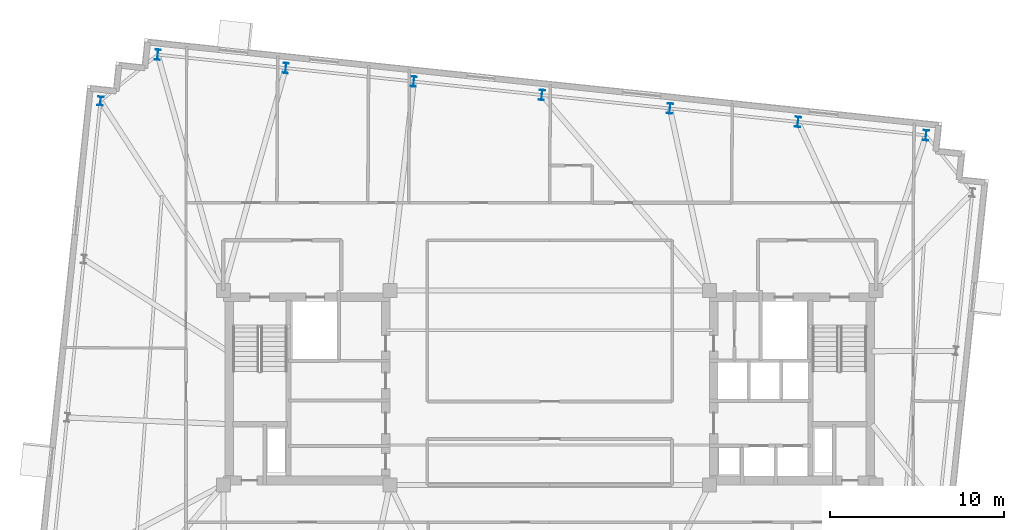
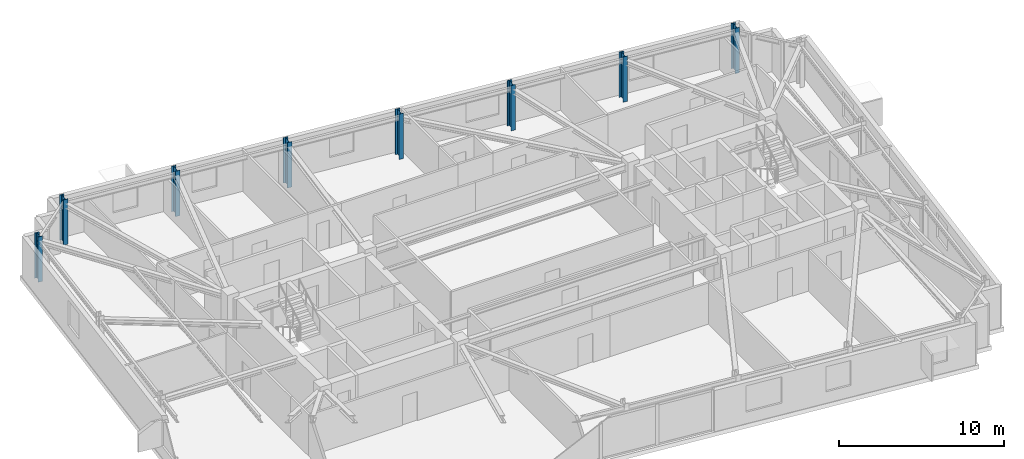
# One storey, part 3 of 12: 8 columns.
"""IFC4 building model written with IfcOpenShell, lengths in metres."""

from ifc_helpers import new_model, si_unit, direction, frame, origin, origin_2d, place, context, subcontext, project, spatial, i_section, extrude, material, material_profile, profile_set, type_object, element, save


model = new_model("IFC4")

# Units and contexts
model_context = context("Model", 3, precision=1e-05, world=origin(), true_north=direction((0.0, 1.0)))
body_context = subcontext(model_context, "Body", "Model", "MODEL_VIEW")
ifc_project = project(units=[si_unit("LENGTHUNIT", "METRE"), si_unit("AREAUNIT", "SQUARE_METRE"), si_unit("VOLUMEUNIT", "CUBIC_METRE"), si_unit("PLANEANGLEUNIT", "RADIAN"), si_unit("MASSUNIT", "GRAM", prefix="KILO")], contexts=[model_context])

# Site, building, storey
site_placement = place(None, origin())
site = spatial("IfcSite", under=ifc_project, at=site_placement, CompositionType="ELEMENT")
building_placement = place(site_placement, origin())
building = spatial("IfcBuilding", under=site, at=building_placement, Name="Qobustan Lattice House", CompositionType="ELEMENT")
storey_placement = place(building_placement, frame((0.0, 0.0, 203.10009765625)))
storey = spatial("IfcBuildingStorey", under=building, at=storey_placement, Name="L57", CompositionType="ELEMENT", Elevation=203.10009765625)

# Columns
ifc_material_1 = material(Name="Steel S355", Category="steel")
ifc_material_profile_1 = material_profile(ifc_material_1, i_section(OverallWidth=0.300048828125, OverallDepth=0.5, WebThickness=0.014404296875, FlangeThickness=0.028076171875, FilletRadius=0.027099609375, at=origin_2d()), Name="HEB500")
ifc_profile_set_1 = profile_set([ifc_material_profile_1], Name="Steel S355")
column_type_1 = type_object("IfcColumnType", Name="COL-ST-HEB500", PredefinedType="COLUMN", material=ifc_profile_set_1)
column_placement = place(storey_placement, frame((-25.87451171875, 16.513916015625, 0.0), z_axis=(0.0, 0.0, 1.0), x_axis=(0.994521895368, -0.104528463268, 0.0)))
element("IfcColumn", 1, at=column_placement, inside=storey, type_object=column_type_1, Name="L57 B4 perimeter column W1", PredefinedType="COLUMN", context=body_context, shape_type="SweptSolid", body=[
    extrude(i_section(OverallWidth=0.300048828125, OverallDepth=0.5, WebThickness=0.014404296875, FlangeThickness=0.028076171875, FilletRadius=0.027099609375, at=origin_2d()), origin(), (0.0, 0.0, 1.0), 3.349853515625),
])
ifc_material_2 = material(Name="Steel S355", Category="steel")
ifc_material_profile_2 = material_profile(ifc_material_2, i_section(OverallWidth=0.300048828125, OverallDepth=0.60009765625, WebThickness=0.015380859375, FlangeThickness=0.030029296875, FilletRadius=0.027099609375, at=origin_2d()), Name="HEB600")
ifc_profile_set_2 = profile_set([ifc_material_profile_2], Name="Steel S355")
column_type_2 = type_object("IfcColumnType", Name="COL-ST-HEB600", PredefinedType="COLUMN", material=ifc_profile_set_2)
for number, where, z_axis, x_axis, name in (
    (2, (21.678955078125, 14.532470703125, 0.0), (0.0, 0.0, 1.0), (0.994521895368, -0.104528463268, 0.0), "L57 B4 perimeter column N1"),
    (3, (14.302978515625, 15.3076171875, 0.0), (0.0, 0.0, 1.0), (0.994521895368, -0.104528463268, 0.0), "L57 B4 perimeter column N2"),
    (4, (6.927001953125, 16.0830078125, 0.0), (0.0, 0.0, 1.0), (0.994521895368, -0.104528463268, 0.0), "L57 B4 perimeter column N3"),
    (5, (-0.44921875, 16.858154296875, 0.0), (0.0, 0.0, 1.0), (0.994521895368, -0.104528463268, 0.0), "L57 B4 perimeter column N4"),
    (6, (-7.8251953125, 17.633544921875, 0.0), (0.0, 0.0, 1.0), (0.994521895368, -0.104528463268, 0.0), "L57 B4 perimeter column N5"),
    (7, (-15.201171875, 18.40869140625, 0.0), (0.0, 0.0, 1.0), (0.994521895368, -0.104528463268, 0.0), "L57 B4 perimeter column N6"),
    (8, (-22.577392578125, 19.18408203125, 0.0), (0.0, 0.0, 1.0), (0.994521895368, -0.104528463268, 0.0), "L57 B4 perimeter column N7"),
):
    element("IfcColumn", number, at=place(storey_placement, frame(where, z_axis=z_axis, x_axis=x_axis)), inside=storey, type_object=column_type_2, Name=name, PredefinedType="COLUMN", context=body_context, shape_type="SweptSolid", body=[
        extrude(i_section(OverallWidth=0.300048828125, OverallDepth=0.60009765625, WebThickness=0.015380859375, FlangeThickness=0.030029296875, FilletRadius=0.027099609375, at=origin_2d()), origin(), (0.0, 0.0, 1.0), 3.349853515625),
    ])

save(model, "model.ifc")
